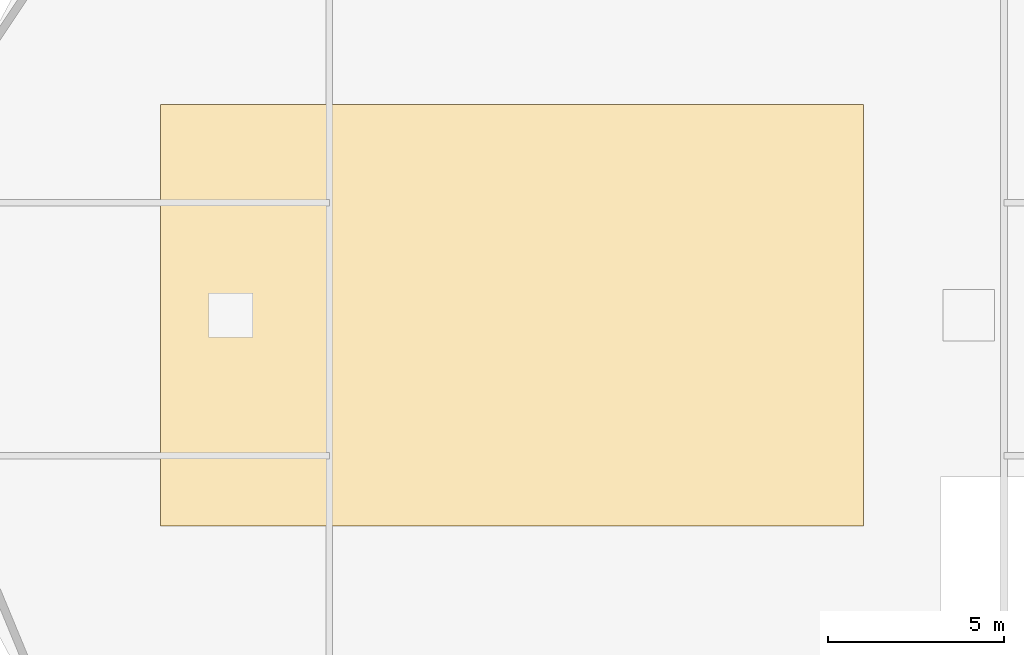
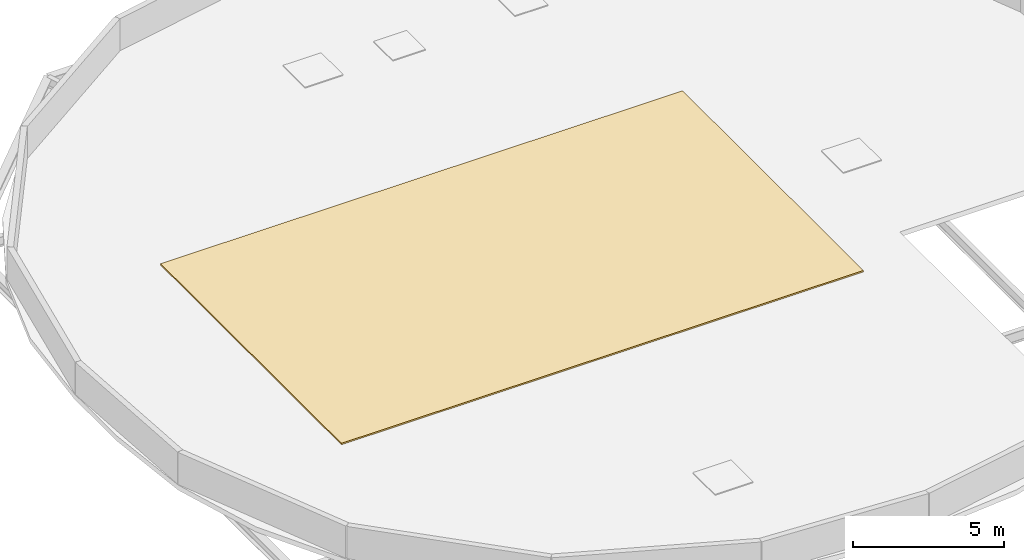
# One storey, part 2 of 2: 1 covering.
"""IFC4 building model written with IfcOpenShell, lengths in metres."""

from ifc_helpers import new_model, si_unit, direction, frame, origin, place, context, subcontext, project, spatial, polyline, outline, extrude, material, layer, layer_set, type_object, element, save


model = new_model("IFC4")

# Units and contexts
model_context = context("Model", 3, precision=1e-05, world=origin(), true_north=direction((0.0, 1.0)))
body_context = subcontext(model_context, "Body", "Model", "MODEL_VIEW")
ifc_project = project(units=[si_unit("LENGTHUNIT", "METRE"), si_unit("AREAUNIT", "SQUARE_METRE"), si_unit("VOLUMEUNIT", "CUBIC_METRE"), si_unit("PLANEANGLEUNIT", "RADIAN"), si_unit("MASSUNIT", "GRAM", prefix="KILO")], contexts=[model_context])

# Site, building, storey
site_placement = place(None, origin())
site = spatial("IfcSite", under=ifc_project, at=site_placement, CompositionType="ELEMENT")
building_placement = place(site_placement, origin())
building = spatial("IfcBuilding", under=site, at=building_placement, Name="Zevrakil Square Congress Hotel", CompositionType="ELEMENT")
storey_placement = place(building_placement, frame((0.0, 0.0, 46.10009765625)))
storey = spatial("IfcBuildingStorey", under=building, at=storey_placement, Name="RF", CompositionType="ELEMENT", Elevation=46.10009765625)

# Covering
ifc_material = material(Name="EPDM Weatherproof Roof Membrane")
ifc_layer = layer(ifc_material, 0.06005859375)
ifc_layer_set = layer_set([ifc_layer], Name="EPDM Weatherproof Roof Membrane")
covering_type = type_object("IfcCoveringType", Name="COV-ROOF-MEMB-060", PredefinedType="ROOFING", material=ifc_layer_set)
covering_placement = place(storey_placement, origin())
element("IfcCovering", 1, at=covering_placement, inside=storey, type_object=covering_type, Name="RF weatherproof roof membrane covering COV-ROOF-RF-DRUM", PredefinedType="ROOFING", context=body_context, shape_type="SweptSolid", body=[
    extrude(outline(polyline([(132.0, 22.0), (152.0, 22.0), (152.0, 34.0), (132.0, 34.0), (132.0, 22.0)])), origin(), (0.0, 0.0, 1.0), 0.059814453125),
])

save(model, "model.ifc")
